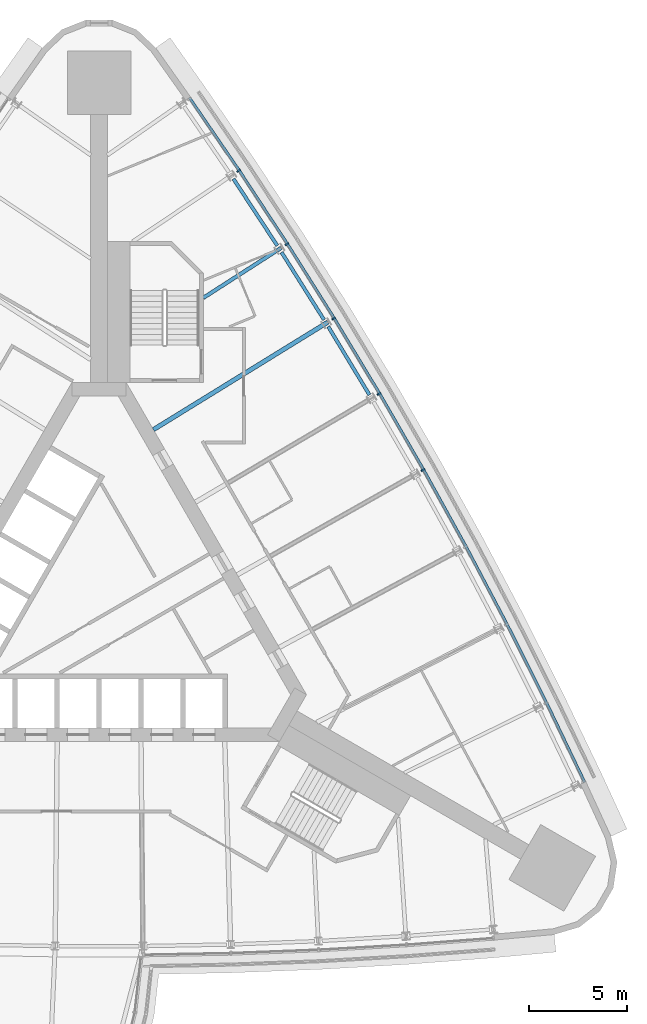
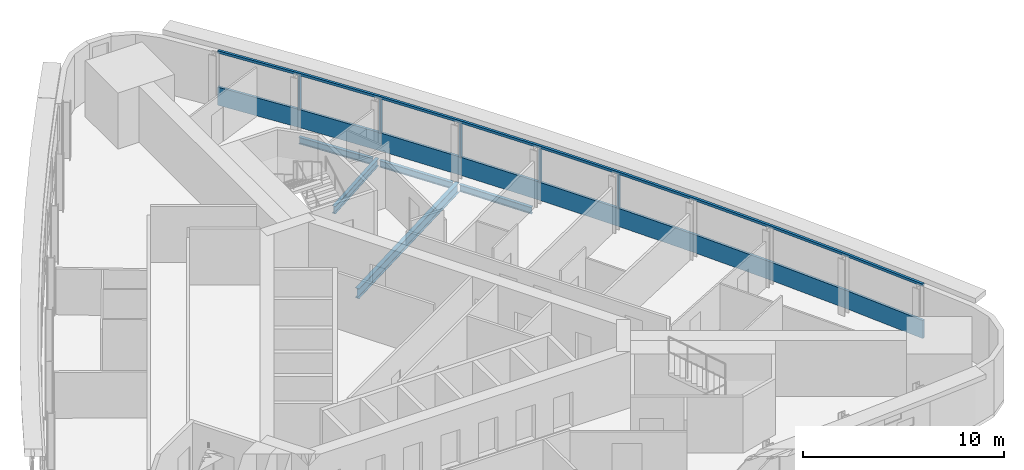
# One storey, part 8 of 16: 7 members, 5 beams, 1 element without a shape of its own.
"""IFC4 building model written with IfcOpenShell, lengths in metres."""

from ifc_helpers import new_model, si_unit, direction, frame, origin, origin_2d, place, context, subcontext, project, spatial, polyline, rectangle, i_section, outline, extrude, material, material_profile, profile_set, type_object, element, aggregate, save


model = new_model("IFC4")

# Units and contexts
model_context = context("Model", 3, precision=1e-05, world=origin(), true_north=direction((0.0, 1.0)))
body_context = subcontext(model_context, "Body", "Model", "MODEL_VIEW")
ifc_project = project(units=[si_unit("LENGTHUNIT", "METRE"), si_unit("AREAUNIT", "SQUARE_METRE"), si_unit("VOLUMEUNIT", "CUBIC_METRE"), si_unit("PLANEANGLEUNIT", "RADIAN"), si_unit("MASSUNIT", "GRAM", prefix="KILO")], contexts=[model_context])

# Site, building, storey
site_placement = place(None, origin())
site = spatial("IfcSite", under=ifc_project, at=site_placement, CompositionType="ELEMENT")
building_placement = place(site_placement, origin())
building = spatial("IfcBuilding", under=site, at=building_placement, Name="Noor Cloister Tower", CompositionType="ELEMENT")
storey_placement = place(building_placement, frame((0.0, 0.0, 61.800048828125)))
storey = spatial("IfcBuildingStorey", under=building, at=storey_placement, Name="L15", CompositionType="ELEMENT", Elevation=61.800048828125)

# Curtain wall, members
ifc_material_1 = material(Name="Aluminium 6063-T6 anodised", Category="aluminium")
curtain_wall_type = type_object("IfcCurtainWallType", Name="Ribbon curtain wall, lower tower CW1", PredefinedType="NOTDEFINED", material=ifc_material_1)
curtain_wall_placement = place(storey_placement, origin())
curtain_wall = element("IfcCurtainWall", 1, at=curtain_wall_placement, inside=storey, type_object=curtain_wall_type, Name="CW1 L15 NE run 4", PredefinedType="NOTDEFINED")
ifc_material_2 = material(Name="Aluminium 6063-T6 anodised", Category="aluminium")
member_type_1 = type_object("IfcMemberType", Name="Head transom CW1 150", PredefinedType="USERDEFINED", material=ifc_material_2)
member_1_placement = place(storey_placement, frame((0.0, 0.0, 3.14990234375)))
member_1 = element("IfcMember", 2, at=member_1_placement, type_object=member_type_1, Name="CW1 head transom", ObjectType="TRANSOM", PredefinedType="USERDEFINED", context=body_context, shape_type="SweptSolid", body=[
    extrude(outline(polyline([(24.908935546875, -8.972900390625), (22.962890625, -4.91552734375), (20.939697265625, -0.89599609375), (18.840087890625, 3.084228515625), (16.6650390625, 7.0234375), (14.4150390625, 10.920654296875), (12.091064453125, 14.77392578125), (9.69384765625, 18.582275390625), (7.224609375, 22.343994140625), (4.683837890625, 26.05810546875), (4.568115234375, 25.97900390625), (7.108154296875, 22.26611328125), (9.576171875, 18.506591796875), (11.971923828125, 14.700439453125), (14.29443359375, 10.849365234375), (16.543212890625, 6.95458984375), (18.717041015625, 3.017822265625), (20.815185546875, -0.9599609375), (22.837158203125, -4.97705078125), (24.78271484375, -9.033447265625), (24.908935546875, -8.972900390625)])), origin(), (0.0, 0.0, 1.0), 0.150146484375),
])
ifc_material_3 = material(Name="Aluminium 6063-T6 anodised", Category="aluminium")
ifc_material_profile_1 = material_profile(ifc_material_3, rectangle(XDim=0.199951171875, YDim=0.080078125, at=origin_2d()), Name="200 x 80 mullion")
ifc_profile_set_1 = profile_set([ifc_material_profile_1], Name="Aluminium 6063-T6 anodised")
member_type_2 = type_object("IfcMemberType", Name="Mullion CW1 80 x 200", PredefinedType="MULLION", material=ifc_profile_set_1)
member_2_placement = place(storey_placement, frame((16.577880859375, 6.974365234375, 1.099853515625), z_axis=(0.0, 0.0, 1.0), x_axis=(-0.870759932602, -0.491708388961, 0.0)))
member_2 = element("IfcMember", 3, at=member_2_placement, type_object=member_type_2, Name="CW1 mullion 5", PredefinedType="MULLION", context=body_context, shape_type="SweptSolid", body=[
    extrude(rectangle(XDim=0.199951171875, YDim=0.080078125, at=origin_2d()), origin(), (0.0, 0.0, 1.0), 2.050048828125),
])
member_3_placement = place(storey_placement, frame((14.328857421875, 10.86962890625, 1.099853515625), z_axis=(0.0, 0.0, 1.0), x_axis=(-0.861211922396, -0.50824602775, 0.0)))
member_3 = element("IfcMember", 4, at=member_3_placement, type_object=member_type_2, Name="CW1 mullion 6", PredefinedType="MULLION", context=body_context, shape_type="SweptSolid", body=[
    extrude(rectangle(XDim=0.199951171875, YDim=0.080078125, at=origin_2d()), origin(), (0.0, 0.0, 1.0), 2.050048828125),
])
member_4_placement = place(storey_placement, frame((12.005859375, 14.721435546875, 1.099853515625), z_axis=(0.0, 0.0, 1.0), x_axis=(-0.851349873532, -0.524598315702, 0.0)))
member_4 = element("IfcMember", 5, at=member_4_placement, type_object=member_type_2, Name="CW1 mullion 7", PredefinedType="MULLION", context=body_context, shape_type="SweptSolid", body=[
    extrude(rectangle(XDim=0.199951171875, YDim=0.080078125, at=origin_2d()), origin(), (0.0, 0.0, 1.0), 2.050048828125),
])
member_5_placement = place(storey_placement, frame((9.60986328125, 18.528076171875, 1.099853515625), z_axis=(0.0, 0.0, 1.0), x_axis=(-0.841177373697, -0.540759305034, 0.0)))
member_5 = element("IfcMember", 6, at=member_5_placement, type_object=member_type_2, Name="CW1 mullion 8", PredefinedType="MULLION", context=body_context, shape_type="SweptSolid", body=[
    extrude(rectangle(XDim=0.199951171875, YDim=0.080078125, at=origin_2d()), origin(), (0.0, 0.0, 1.0), 2.050048828125),
])
member_6_placement = place(storey_placement, frame((7.141357421875, 22.288330078125, 1.099853515625), z_axis=(0.0, 0.0, 1.0), x_axis=(-0.830698132368, -0.556723102521, 0.0)))
member_6 = element("IfcMember", 7, at=member_6_placement, type_object=member_type_2, Name="CW1 mullion 9", PredefinedType="MULLION", context=body_context, shape_type="SweptSolid", body=[
    extrude(rectangle(XDim=0.199951171875, YDim=0.080078125, at=origin_2d()), origin(), (0.0, 0.0, 1.0), 2.050048828125),
])

# Beams
ifc_material_4 = material(Name="Steel ASTM A992 Gr 50", Category="steel")
ifc_material_profile_2 = material_profile(ifc_material_4, i_section(OverallWidth=0.19091796875, OverallDepth=0.45703125, WebThickness=0.009033203125, FlangeThickness=0.014404296875, FilletRadius=0.01025390625, at=origin_2d()), Name="W460x74")
ifc_profile_set_2 = profile_set([ifc_material_profile_2], Name="Steel ASTM A992 Gr 50")
beam_type_1 = type_object("IfcBeamType", Name="Radial beam W460x74", PredefinedType="BEAM", material=ifc_profile_set_2)
beam_1_placement = place(storey_placement, frame((9.31298828125, 18.33740234375, -0.428466796875), z_axis=(-0.8411734424, -0.540765420309, 0.0), x_axis=(0.540765420309, -0.8411734424, 0.0)))
element("IfcBeam", 8, at=beam_1_placement, inside=storey, type_object=beam_type_1, Name="Radial beam NE 08 L15", PredefinedType="BEAM", context=body_context, shape_type="SweptSolid", body=[
    extrude(i_section(OverallWidth=0.19091796875, OverallDepth=0.45703125, WebThickness=0.009033203125, FlangeThickness=0.014404296875, FilletRadius=0.01025390625, at=origin_2d()), origin(), (0.0, 0.0, 1.0), 4.728271484375),
])
ifc_material_5 = material(Name="Steel ASTM A992 Gr 50", Category="steel")
ifc_material_profile_3 = material_profile(ifc_material_5, i_section(OverallWidth=0.22802734375, OverallDepth=0.60205078125, WebThickness=0.010498046875, FlangeThickness=0.014892578125, FilletRadius=0.0126953125, at=origin_2d()), Name="W610x101")
ifc_profile_set_3 = profile_set([ifc_material_profile_3], Name="Steel ASTM A992 Gr 50")
beam_type_2 = type_object("IfcBeamType", Name="Radial beam W610x101", PredefinedType="BEAM", material=ifc_profile_set_3)
beam_2_placement = place(storey_placement, frame((11.705322265625, 14.536376953125, -0.5009765625), z_axis=(-0.85134946525, -0.524598978286, 0.0), x_axis=(0.524598978286, -0.85134946525, 0.0)))
element("IfcBeam", 9, at=beam_2_placement, inside=storey, type_object=beam_type_2, Name="Radial beam NE 07 L15", PredefinedType="BEAM", context=body_context, shape_type="SweptSolid", body=[
    extrude(i_section(OverallWidth=0.22802734375, OverallDepth=0.60205078125, WebThickness=0.010498046875, FlangeThickness=0.014892578125, FilletRadius=0.0126953125, at=origin_2d()), origin(), (0.0, 0.0, 1.0), 10.4814453125),
])

# Member
ifc_material_6 = material(Name="Aluminium 6063-T6 anodised", Category="aluminium")
member_type_3 = type_object("IfcMemberType", Name="Sill transom CW1 1100", PredefinedType="USERDEFINED", material=ifc_material_6)
member_7_placement = place(storey_placement, origin())
member_7 = element("IfcMember", 10, at=member_7_placement, type_object=member_type_3, Name="CW1 sill transom", ObjectType="TRANSOM", PredefinedType="USERDEFINED", context=body_context, shape_type="SweptSolid", body=[
    extrude(outline(polyline([(24.908935546875, -8.972900390625), (22.962890625, -4.91552734375), (20.939697265625, -0.89599609375), (18.840087890625, 3.084228515625), (16.6650390625, 7.0234375), (14.4150390625, 10.920654296875), (12.091064453125, 14.77392578125), (9.69384765625, 18.582275390625), (7.224609375, 22.343994140625), (4.683837890625, 26.05810546875), (4.568115234375, 25.97900390625), (7.108154296875, 22.26611328125), (9.576171875, 18.506591796875), (11.971923828125, 14.700439453125), (14.29443359375, 10.849365234375), (16.543212890625, 6.95458984375), (18.717041015625, 3.017822265625), (20.815185546875, -0.9599609375), (22.837158203125, -4.97705078125), (24.78271484375, -9.033447265625), (24.908935546875, -8.972900390625)])), origin(), (0.0, 0.0, 1.0), 1.099853515625),
])

aggregate(curtain_wall, [member_2, member_3, member_4, member_5, member_6, member_7, member_1])

# Beams
ifc_material_7 = material(Name="Steel ASTM A992 Gr 50", Category="steel")
ifc_material_profile_4 = material_profile(ifc_material_7, i_section(OverallWidth=0.177978515625, OverallDepth=0.406005859375, WebThickness=0.0078125, FlangeThickness=0.0126953125, FilletRadius=0.01025390625, at=origin_2d()), Name="W410x60")
ifc_profile_set_4 = profile_set([ifc_material_profile_4], Name="Steel ASTM A992 Gr 50")
beam_type_3 = type_object("IfcBeamType", Name="Spandrel beam W410x60", PredefinedType="SPANDREL", material=ifc_profile_set_4)
beam_3_placement = place(storey_placement, frame((13.837158203125, 10.81396484375, -0.403076171875), z_axis=(-0.516471610202, 0.856304312646, 0.0), x_axis=(-0.856304312646, -0.516471610202, 0.0)))
element("IfcBeam", 11, at=beam_3_placement, inside=storey, type_object=beam_type_3, Name="Spandrel beam NE 06 L15", PredefinedType="SPANDREL", context=body_context, shape_type="SweptSolid", body=[
    extrude(i_section(OverallWidth=0.177978515625, OverallDepth=0.406005859375, WebThickness=0.0078125, FlangeThickness=0.0126953125, FilletRadius=0.01025390625, at=origin_2d()), origin(), (0.0, 0.0, 1.0), 4.085693359375),
])
beam_4_placement = place(storey_placement, frame((11.51513671875, 14.656494140625, -0.403076171875), z_axis=(-0.532719748658, 0.846291716484, 0.0), x_axis=(-0.846291716484, -0.532719748658, 0.0)))
element("IfcBeam", 12, at=beam_4_placement, inside=storey, type_object=beam_type_3, Name="Spandrel beam NE 07 L15", PredefinedType="SPANDREL", context=body_context, shape_type="SweptSolid", body=[
    extrude(i_section(OverallWidth=0.177978515625, OverallDepth=0.406005859375, WebThickness=0.0078125, FlangeThickness=0.0126953125, FilletRadius=0.01025390625, at=origin_2d()), origin(), (0.0, 0.0, 1.0), 4.085205078125),
])
beam_5_placement = place(storey_placement, frame((9.120361328125, 18.45361328125, -0.403076171875), z_axis=(-0.548742585616, 0.835991372402, 0.0), x_axis=(-0.835991372402, -0.548742585616, 0.0)))
element("IfcBeam", 13, at=beam_5_placement, inside=storey, type_object=beam_type_3, Name="Spandrel beam NE 08 L15", PredefinedType="SPANDREL", context=body_context, shape_type="SweptSolid", body=[
    extrude(i_section(OverallWidth=0.177978515625, OverallDepth=0.406005859375, WebThickness=0.0078125, FlangeThickness=0.0126953125, FilletRadius=0.01025390625, at=origin_2d()), origin(), (0.0, 0.0, 1.0), 4.085693359375),
])

save(model, "model.ifc")
